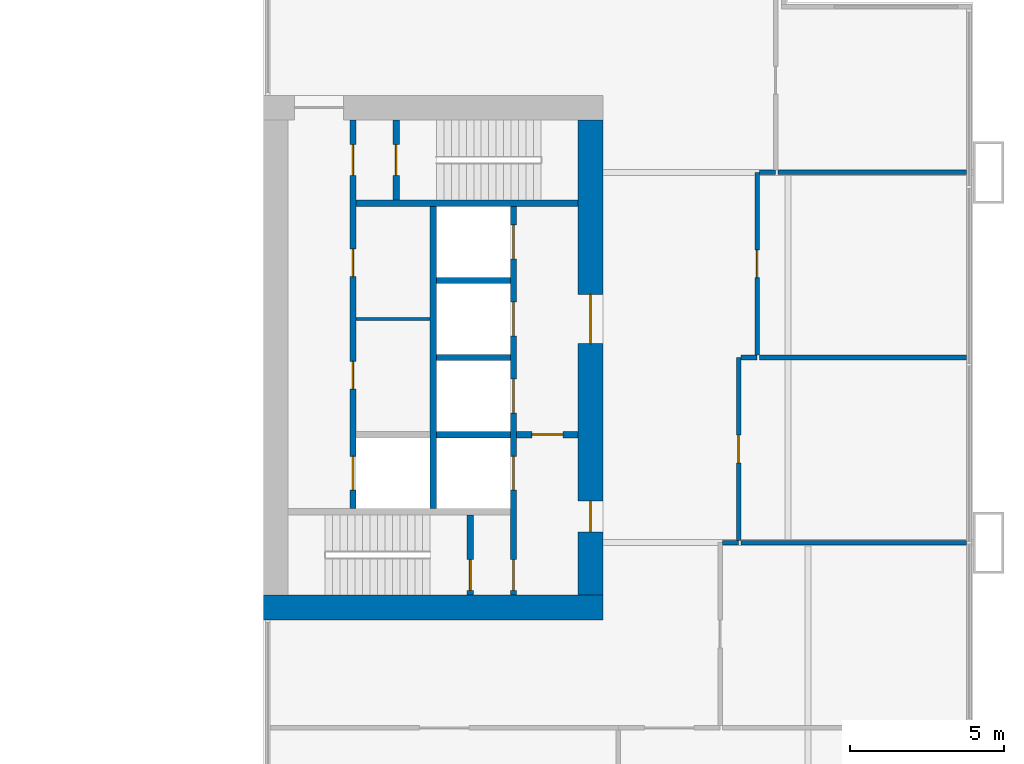
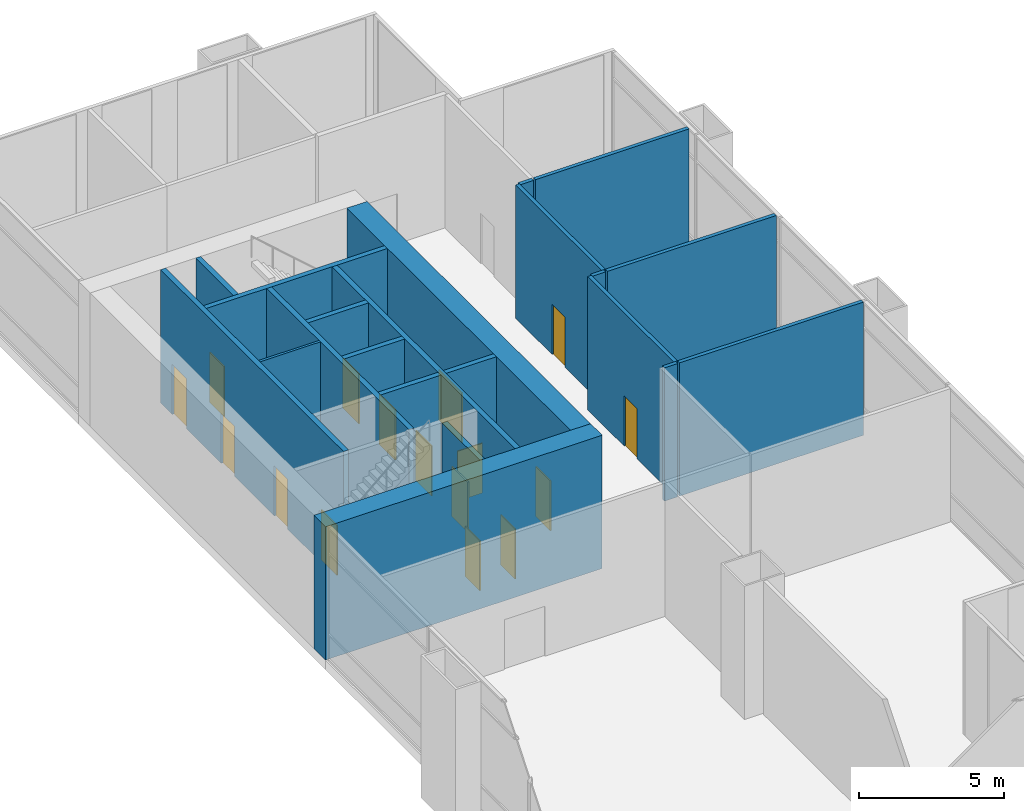
# One storey, part 20 of 25: 21 walls, 16 doors, 16 openings.
"""IFC4 building model written with IfcOpenShell, lengths in metres."""

from ifc_helpers import new_model, si_unit, direction, frame, frame_2d, origin, place, context, subcontext, project, spatial, rectangle, extrude, material, layer, layer_set, type_object, element, fill, save


model = new_model("IFC4")

# Units and contexts
model_context = context("Model", 3, precision=1e-05, world=origin(), true_north=direction((0.0, 1.0)))
body_context = subcontext(model_context, "Body", "Model", "MODEL_VIEW")
ifc_project = project(units=[si_unit("LENGTHUNIT", "METRE"), si_unit("AREAUNIT", "SQUARE_METRE"), si_unit("VOLUMEUNIT", "CUBIC_METRE"), si_unit("PLANEANGLEUNIT", "RADIAN"), si_unit("MASSUNIT", "GRAM", prefix="KILO")], contexts=[model_context])

# Site, building, storey
site_placement = place(None, origin())
site = spatial("IfcSite", under=ifc_project, at=site_placement, CompositionType="ELEMENT")
building_placement = place(site_placement, origin())
building = spatial("IfcBuilding", under=site, at=building_placement, Name="Kitamizu Gate Tower and Museum", CompositionType="ELEMENT")
storey_placement = place(building_placement, frame((0.0, 0.0, 18.0)))
storey = spatial("IfcBuildingStorey", under=building, at=storey_placement, Name="L03", CompositionType="ELEMENT", Elevation=18.0)

# Wall
ifc_material_1 = material(Name="Concrete Fc60", Category="concrete")
ifc_layer_1 = layer(ifc_material_1, 0.800048828125)
ifc_layer_set_1 = layer_set([ifc_layer_1], Name="Concrete Fc60")
wall_type_1 = type_object("IfcWallType", Name="Core wall 800", PredefinedType="SHEAR", material=ifc_layer_set_1)
wall_1_placement = place(storey_placement, frame((59.5, 21.89990234375, 0.0), z_axis=(0.0, 0.0, 1.0), x_axis=(-1.0, 0.0, 0.0)))
element("IfcWall", 1, at=wall_1_placement, inside=storey, type_object=wall_type_1, Name="Core wall ES", PredefinedType="SHEAR", context=body_context, shape_type="SweptSolid", body=[
    extrude(rectangle(XDim=11.0, YDim=0.800048828125, at=frame_2d((5.5, 0.0))), origin(), (0.0, 0.0, 1.0), 5.60009765625),
])

# Wall, openings, doors
wall_2_placement = place(storey_placement, frame((59.10009765625, 22.300048828125, 0.0), z_axis=(0.0, 0.0, 1.0), x_axis=(0.0, 1.0, 0.0)))
wall_2 = element("IfcWall", 2, at=wall_2_placement, inside=storey, type_object=wall_type_1, Name="Core wall EOUT", PredefinedType="SHEAR", context=body_context, shape_type="SweptSolid", body=[
    extrude(rectangle(XDim=15.39990234375, YDim=0.800048828125, at=frame_2d((7.699951171875, 0.0))), origin(), (0.0, 0.0, 1.0), 5.60009765625),
])
opening_1_placement = place(wall_2_placement, frame((8.14990234375, 0.0, 0.0)))
opening_1 = element("IfcOpeningElement", 3, at=opening_1_placement, cuts=wall_2, Name="Opening L03-033", PredefinedType="OPENING", context=body_context, shape_type="SweptSolid", body=[
    extrude(rectangle(XDim=1.60009765625, YDim=2.10009765625, at=frame_2d((0.800048828125, 1.050048828125))), frame((0.0, 0.41015625, 0.0), z_axis=(0.0, -1.0, 0.0), x_axis=(1.0, 0.0, 0.0)), (0.0, 0.0, 1.0), 0.820068359375),
])
opening_2_placement = place(wall_2_placement, frame((2.050048828125, 0.0, 0.0)))
opening_2 = element("IfcOpeningElement", 4, at=opening_2_placement, cuts=wall_2, Name="Opening L03-034", PredefinedType="OPENING", context=body_context, shape_type="SweptSolid", body=[
    extrude(rectangle(XDim=1.0, YDim=2.10009765625, at=frame_2d((0.5, 1.050048828125))), frame((0.0, 0.41015625, 0.0), z_axis=(0.0, -1.0, 0.0), x_axis=(1.0, 0.0, 0.0)), (0.0, 0.0, 1.0), 0.820068359375),
])
ifc_material_2 = material(Name="Timber door set", Category="wood")
door_type_1 = type_object("IfcDoorType", Name="Entrance door 1600", OperationType="DOUBLE_DOOR_SINGLE_SWING", PredefinedType="DOOR", material=ifc_material_2)
door_1_placement = place(opening_1_placement, origin())
door_1 = element("IfcDoor", 5, at=door_1_placement, inside=storey, type_object=door_type_1, Name="Lobby door L03-033", OperationType="DOUBLE_DOOR_SINGLE_SWING", OverallHeight=2.10009765625, OverallWidth=1.60009765625, PredefinedType="DOOR", context=body_context, shape_type="SweptSolid", body=[
    extrude(rectangle(XDim=1.60009765625, YDim=2.10009765625, at=frame_2d((0.800048828125, 1.050048828125))), frame((0.0, 0.02490234375, 0.0), z_axis=(0.0, -1.0, 0.0), x_axis=(1.0, 0.0, 0.0)), (0.0, 0.0, 1.0), 0.050048828125),
])
fill(opening_1, door_1)
ifc_material_3 = material(Name="Hollow metal door set")
door_type_2 = type_object("IfcDoorType", Name="Fire door 1000", OperationType="NOTDEFINED", PredefinedType="DOOR", material=ifc_material_3)
door_2_placement = place(opening_2_placement, origin())
door_2 = element("IfcDoor", 6, at=door_2_placement, inside=storey, type_object=door_type_2, Name="Fire-fighting lobby door L03-034", OperationType="SINGLE_SWING_LEFT", OverallHeight=2.10009765625, OverallWidth=1.0, PredefinedType="DOOR", context=body_context, shape_type="SweptSolid", body=[
    extrude(rectangle(XDim=1.0, YDim=2.10009765625, at=frame_2d((0.5, 1.050048828125))), frame((0.0, 0.02490234375, 0.0), z_axis=(0.0, -1.0, 0.0), x_axis=(1.0, 0.0, 0.0)), (0.0, 0.0, 1.0), 0.050048828125),
])
fill(opening_2, door_2)

# Walls
ifc_material_4 = material(Name="Gypsum board on galvanised stud")
ifc_layer_2 = layer(ifc_material_4, 0.10009765625)
ifc_layer_set_2 = layer_set([ifc_layer_2], Name="Gypsum board on galvanised stud")
wall_type_2 = type_object("IfcWallType", Name="Partition 100", PredefinedType="PARTITIONING", material=ifc_layer_set_2)
wall_3_placement = place(storey_placement, frame((53.89990234375, 31.25, 0.0), z_axis=(0.0, 0.0, 1.0), x_axis=(-1.0, 0.0, 0.0)))
element("IfcWall", 7, at=wall_3_placement, inside=storey, type_object=wall_type_2, Name="Partition EPF1", PredefinedType="PARTITIONING", context=body_context, shape_type="SweptSolid", body=[
    extrude(rectangle(XDim=2.39990234375, YDim=0.10009765625, at=frame_2d((1.199951171875, 0.0))), origin(), (0.0, 0.0, 1.0), 5.60009765625),
])
ifc_material_5 = material(Name="Gypsum board on galvanised stud")
ifc_layer_3 = layer(ifc_material_5, 0.14990234375)
ifc_layer_set_3 = layer_set([ifc_layer_3], Name="Gypsum board on galvanised stud")
wall_type_3 = type_object("IfcWallType", Name="Partition 150", PredefinedType="PARTITIONING", material=ifc_layer_set_3)
wall_4_placement = place(storey_placement, frame((63.375, 24.0, 0.0), z_axis=(0.0, 0.0, 1.0), x_axis=(1.0, 0.0, 0.0)))
element("IfcWall", 8, at=wall_4_placement, inside=storey, type_object=wall_type_3, Name="Partition L03-015", PredefinedType="PARTITIONING", context=body_context, shape_type="SweptSolid", body=[
    extrude(rectangle(XDim=0.52490234375, YDim=0.14990234375, at=frame_2d((0.262451171875, 0.0))), origin(), (0.0, 0.0, 1.0), 5.60009765625),
])

# Wall, opening, door
wall_5_placement = place(storey_placement, frame((63.89990234375, 24.074951171875, 0.0), z_axis=(0.0, 0.0, 1.0), x_axis=(0.0, 1.0, 0.0)))
wall_5 = element("IfcWall", 9, at=wall_5_placement, inside=storey, type_object=wall_type_3, Name="Partition L03-016", PredefinedType="PARTITIONING", context=body_context, shape_type="SweptSolid", body=[
    extrude(rectangle(XDim=5.925048828125, YDim=0.14990234375, at=frame_2d((2.96240234375, 0.0))), origin(), (0.0, 0.0, 1.0), 5.60009765625),
])
opening_3_placement = place(wall_5_placement, frame((2.512451171875, 0.0, 0.0)))
opening_3 = element("IfcOpeningElement", 10, at=opening_3_placement, cuts=wall_5, Name="Opening L03-004", PredefinedType="OPENING", context=body_context, shape_type="SweptSolid", body=[
    extrude(rectangle(XDim=0.89990234375, YDim=2.10009765625, at=frame_2d((0.449951171875, 1.050048828125))), frame((0.0, 0.0849609375, 0.0), z_axis=(0.0, -1.0, 0.0), x_axis=(1.0, 0.0, 0.0)), (0.0, 0.0, 1.0), 0.169921875),
])
ifc_material_6 = material(Name="Timber door set", Category="wood")
door_type_3 = type_object("IfcDoorType", Name="Room door 900", OperationType="NOTDEFINED", PredefinedType="DOOR", material=ifc_material_6)
door_3_placement = place(opening_3_placement, frame((0.89990234375, 0.0, 0.0), x_axis=(-1.0, 0.0, 0.0)))
door_3 = element("IfcDoor", 11, at=door_3_placement, inside=storey, type_object=door_type_3, Name="Door L03-004", OperationType="SINGLE_SWING_RIGHT", OverallHeight=2.10009765625, OverallWidth=0.89990234375, PredefinedType="DOOR", context=body_context, shape_type="SweptSolid", body=[
    extrude(rectangle(XDim=0.89990234375, YDim=2.10009765625, at=frame_2d((0.449951171875, 1.050048828125))), frame((0.0, 0.02490234375, 0.0), z_axis=(0.0, -1.0, 0.0), x_axis=(1.0, 0.0, 0.0)), (0.0, 0.0, 1.0), 0.050048828125),
])
fill(opening_3, door_3)

# Wall
wall_6_placement = place(storey_placement, frame((63.97509765625, 30.0, 0.0), z_axis=(0.0, 0.0, 1.0), x_axis=(1.0, 0.0, 0.0)))
element("IfcWall", 12, at=wall_6_placement, inside=storey, type_object=wall_type_3, Name="Partition L03-017", PredefinedType="PARTITIONING", context=body_context, shape_type="SweptSolid", body=[
    extrude(rectangle(XDim=0.52490234375, YDim=0.14990234375, at=frame_2d((0.262451171875, 0.0))), origin(), (0.0, 0.0, 1.0), 5.60009765625),
])

# Wall, opening, door
wall_7_placement = place(storey_placement, frame((64.5, 30.074951171875, 0.0), z_axis=(0.0, 0.0, 1.0), x_axis=(0.0, 1.0, 0.0)))
wall_7 = element("IfcWall", 13, at=wall_7_placement, inside=storey, type_object=wall_type_3, Name="Partition L03-018", PredefinedType="PARTITIONING", context=body_context, shape_type="SweptSolid", body=[
    extrude(rectangle(XDim=5.925048828125, YDim=0.14990234375, at=frame_2d((2.96240234375, 0.0))), origin(), (0.0, 0.0, 1.0), 5.60009765625),
])
opening_4_placement = place(wall_7_placement, frame((2.512451171875, 0.0, 0.0)))
opening_4 = element("IfcOpeningElement", 14, at=opening_4_placement, cuts=wall_7, Name="Opening L03-005", PredefinedType="OPENING", context=body_context, shape_type="SweptSolid", body=[
    extrude(rectangle(XDim=0.89990234375, YDim=2.10009765625, at=frame_2d((0.449951171875, 1.050048828125))), frame((0.0, 0.0849609375, 0.0), z_axis=(0.0, -1.0, 0.0), x_axis=(1.0, 0.0, 0.0)), (0.0, 0.0, 1.0), 0.169921875),
])
door_4_placement = place(opening_4_placement, frame((0.89990234375, 0.0, 0.0), x_axis=(-1.0, 0.0, 0.0)))
door_4 = element("IfcDoor", 15, at=door_4_placement, inside=storey, type_object=door_type_3, Name="Door L03-005", OperationType="SINGLE_SWING_LEFT", OverallHeight=2.10009765625, OverallWidth=0.89990234375, PredefinedType="DOOR", context=body_context, shape_type="SweptSolid", body=[
    extrude(rectangle(XDim=0.89990234375, YDim=2.10009765625, at=frame_2d((0.449951171875, 1.050048828125))), frame((0.0, 0.02490234375, 0.0), z_axis=(0.0, -1.0, 0.0), x_axis=(1.0, 0.0, 0.0)), (0.0, 0.0, 1.0), 0.050048828125),
])
fill(opening_4, door_4)

# Walls
wall_8_placement = place(storey_placement, frame((64.574951171875, 36.0, 0.0), z_axis=(0.0, 0.0, 1.0), x_axis=(1.0, 0.0, 0.0)))
element("IfcWall", 16, at=wall_8_placement, inside=storey, type_object=wall_type_3, Name="Partition L03-019", PredefinedType="PARTITIONING", context=body_context, shape_type="SweptSolid", body=[
    extrude(rectangle(XDim=0.525146484375, YDim=0.14990234375, at=frame_2d((0.2626953125, 0.0))), origin(), (0.0, 0.0, 1.0), 5.60009765625),
])
wall_9_placement = place(storey_placement, frame((71.280029296875, 24.0, 0.0), z_axis=(0.0, 0.0, 1.0), x_axis=(-1.0, 0.0, 0.0)))
element("IfcWall", 17, at=wall_9_placement, inside=storey, type_object=wall_type_3, Name="Partition L03-027", PredefinedType="PARTITIONING", context=body_context, shape_type="SweptSolid", body=[
    extrude(rectangle(XDim=7.304931640625, YDim=0.14990234375, at=frame_2d((3.65234375, 0.0))), origin(), (0.0, 0.0, 1.0), 5.60009765625),
])
wall_10_placement = place(storey_placement, frame((71.280029296875, 30.0, 0.0), z_axis=(0.0, 0.0, 1.0), x_axis=(-1.0, 0.0, 0.0)))
element("IfcWall", 18, at=wall_10_placement, inside=storey, type_object=wall_type_3, Name="Partition L03-028", PredefinedType="PARTITIONING", context=body_context, shape_type="SweptSolid", body=[
    extrude(rectangle(XDim=6.705078125, YDim=0.14990234375, at=frame_2d((3.3525390625, 0.0))), origin(), (0.0, 0.0, 1.0), 5.60009765625),
])
wall_11_placement = place(storey_placement, frame((71.280029296875, 36.0, 0.0), z_axis=(0.0, 0.0, 1.0), x_axis=(-1.0, 0.0, 0.0)))
element("IfcWall", 19, at=wall_11_placement, inside=storey, type_object=wall_type_3, Name="Partition L03-029", PredefinedType="PARTITIONING", context=body_context, shape_type="SweptSolid", body=[
    extrude(rectangle(XDim=6.10498046875, YDim=0.14990234375, at=frame_2d((3.052490234375, 0.0))), origin(), (0.0, 0.0, 1.0), 5.60009765625),
])

# Wall, openings, doors
ifc_material_7 = material(Name="Concrete Fc42", Category="concrete")
ifc_layer_4 = layer(ifc_material_7, 0.199951171875)
ifc_layer_set_4 = layer_set([ifc_layer_4], Name="Concrete Fc42")
wall_type_4 = type_object("IfcWallType", Name="Shaft wall 200", PredefinedType="SOLIDWALL", material=ifc_layer_set_4)
wall_12_placement = place(storey_placement, frame((56.60009765625, 22.300048828125, 0.0), z_axis=(0.0, 0.0, 1.0), x_axis=(0.0, 1.0, 0.0)))
wall_12 = element("IfcWall", 20, at=wall_12_placement, inside=storey, type_object=wall_type_4, Name="Shaft wall EWEST", PredefinedType="SOLIDWALL", context=body_context, shape_type="SweptSolid", body=[
    extrude(rectangle(XDim=12.599853515625, YDim=0.199951171875, at=frame_2d((6.2998046875, 0.0))), origin(), (0.0, 0.0, 1.0), 5.60009765625),
])
opening_5_placement = place(wall_12_placement, frame((3.39990234375, 0.0, 0.0)))
opening_5 = element("IfcOpeningElement", 21, at=opening_5_placement, cuts=wall_12, Name="Opening LD", PredefinedType="OPENING", context=body_context, shape_type="SweptSolid", body=[
    extrude(rectangle(XDim=1.10009765625, YDim=2.10009765625, at=frame_2d((0.550048828125, 1.050048828125))), frame((0.0, 0.10986328125, 0.0), z_axis=(0.0, -1.0, 0.0), x_axis=(1.0, 0.0, 0.0)), (0.0, 0.0, 1.0), 0.219970703125),
])
opening_6_placement = place(wall_12_placement, frame((5.89990234375, 0.0, 0.0)))
opening_6 = element("IfcOpeningElement", 22, at=opening_6_placement, cuts=wall_12, Name="Opening LD", PredefinedType="OPENING", context=body_context, shape_type="SweptSolid", body=[
    extrude(rectangle(XDim=1.10009765625, YDim=2.10009765625, at=frame_2d((0.550048828125, 1.050048828125))), frame((0.0, 0.10986328125, 0.0), z_axis=(0.0, -1.0, 0.0), x_axis=(1.0, 0.0, 0.0)), (0.0, 0.0, 1.0), 0.219970703125),
])
opening_7_placement = place(wall_12_placement, frame((8.39990234375, 0.0, 0.0)))
opening_7 = element("IfcOpeningElement", 23, at=opening_7_placement, cuts=wall_12, Name="Opening LD", PredefinedType="OPENING", context=body_context, shape_type="SweptSolid", body=[
    extrude(rectangle(XDim=1.10009765625, YDim=2.10009765625, at=frame_2d((0.550048828125, 1.050048828125))), frame((0.0, 0.10986328125, 0.0), z_axis=(0.0, -1.0, 0.0), x_axis=(1.0, 0.0, 0.0)), (0.0, 0.0, 1.0), 0.219970703125),
])
opening_8_placement = place(wall_12_placement, frame((10.89990234375, 0.0, 0.0)))
opening_8 = element("IfcOpeningElement", 24, at=opening_8_placement, cuts=wall_12, Name="Opening LD", PredefinedType="OPENING", context=body_context, shape_type="SweptSolid", body=[
    extrude(rectangle(XDim=1.10009765625, YDim=2.10009765625, at=frame_2d((0.550048828125, 1.050048828125))), frame((0.0, 0.10986328125, 0.0), z_axis=(0.0, -1.0, 0.0), x_axis=(1.0, 0.0, 0.0)), (0.0, 0.0, 1.0), 0.219970703125),
])
opening_9_placement = place(wall_12_placement, frame((0.14990234375, 0.0, 0.0)))
opening_9 = element("IfcOpeningElement", 25, at=opening_9_placement, cuts=wall_12, Name="Opening L03-029", PredefinedType="OPENING", context=body_context, shape_type="SweptSolid", body=[
    extrude(rectangle(XDim=1.0, YDim=2.10009765625, at=frame_2d((0.5, 1.050048828125))), frame((0.0, 0.10986328125, 0.0), z_axis=(0.0, -1.0, 0.0), x_axis=(1.0, 0.0, 0.0)), (0.0, 0.0, 1.0), 0.219970703125),
])
door_5_placement = place(opening_9_placement, origin())
door_5 = element("IfcDoor", 26, at=door_5_placement, inside=storey, type_object=door_type_2, Name="Stair lobby door L03-029", OperationType="SINGLE_SWING_RIGHT", OverallHeight=2.10009765625, OverallWidth=1.0, PredefinedType="DOOR", context=body_context, shape_type="SweptSolid", body=[
    extrude(rectangle(XDim=1.0, YDim=2.10009765625, at=frame_2d((0.5, 1.050048828125))), frame((0.0, 0.02490234375, 0.0), z_axis=(0.0, -1.0, 0.0), x_axis=(1.0, 0.0, 0.0)), (0.0, 0.0, 1.0), 0.050048828125),
])
fill(opening_9, door_5)
ifc_material_8 = material(Name="Hollow metal door set")
door_type_4 = type_object("IfcDoorType", Name="Landing door 1100", OperationType="SLIDING_TO_LEFT", PredefinedType="DOOR", material=ifc_material_8)
door_6_placement = place(opening_5_placement, origin())
door_6 = element("IfcDoor", 27, at=door_6_placement, inside=storey, type_object=door_type_4, Name="Landing door EFF1", OperationType="SLIDING_TO_LEFT", OverallHeight=2.10009765625, OverallWidth=1.10009765625, PredefinedType="DOOR", context=body_context, shape_type="SweptSolid", body=[
    extrude(rectangle(XDim=1.10009765625, YDim=2.10009765625, at=frame_2d((0.550048828125, 1.050048828125))), frame((0.0, 0.02490234375, 0.0), z_axis=(0.0, -1.0, 0.0), x_axis=(1.0, 0.0, 0.0)), (0.0, 0.0, 1.0), 0.050048828125),
])
fill(opening_5, door_6)
door_7_placement = place(opening_6_placement, origin())
door_7 = element("IfcDoor", 28, at=door_7_placement, inside=storey, type_object=door_type_4, Name="Landing door EL1", OperationType="SLIDING_TO_LEFT", OverallHeight=2.10009765625, OverallWidth=1.10009765625, PredefinedType="DOOR", context=body_context, shape_type="SweptSolid", body=[
    extrude(rectangle(XDim=1.10009765625, YDim=2.10009765625, at=frame_2d((0.550048828125, 1.050048828125))), frame((0.0, 0.02490234375, 0.0), z_axis=(0.0, -1.0, 0.0), x_axis=(1.0, 0.0, 0.0)), (0.0, 0.0, 1.0), 0.050048828125),
])
fill(opening_6, door_7)
door_8_placement = place(opening_7_placement, origin())
door_8 = element("IfcDoor", 29, at=door_8_placement, inside=storey, type_object=door_type_4, Name="Landing door EL2", OperationType="SLIDING_TO_LEFT", OverallHeight=2.10009765625, OverallWidth=1.10009765625, PredefinedType="DOOR", context=body_context, shape_type="SweptSolid", body=[
    extrude(rectangle(XDim=1.10009765625, YDim=2.10009765625, at=frame_2d((0.550048828125, 1.050048828125))), frame((0.0, 0.02490234375, 0.0), z_axis=(0.0, -1.0, 0.0), x_axis=(1.0, 0.0, 0.0)), (0.0, 0.0, 1.0), 0.050048828125),
])
fill(opening_7, door_8)
door_9_placement = place(opening_8_placement, origin())
door_9 = element("IfcDoor", 30, at=door_9_placement, inside=storey, type_object=door_type_4, Name="Landing door EL3", OperationType="SLIDING_TO_LEFT", OverallHeight=2.10009765625, OverallWidth=1.10009765625, PredefinedType="DOOR", context=body_context, shape_type="SweptSolid", body=[
    extrude(rectangle(XDim=1.10009765625, YDim=2.10009765625, at=frame_2d((0.550048828125, 1.050048828125))), frame((0.0, 0.02490234375, 0.0), z_axis=(0.0, -1.0, 0.0), x_axis=(1.0, 0.0, 0.0)), (0.0, 0.0, 1.0), 0.050048828125),
])
fill(opening_8, door_9)

wall_13_placement = place(storey_placement, frame((51.39990234375, 25.10009765625, 0.0), z_axis=(0.0, 0.0, 1.0), x_axis=(0.0, 1.0, 0.0)))
wall_13 = element("IfcWall", 31, at=wall_13_placement, inside=storey, type_object=wall_type_4, Name="Shaft wall EEAST", PredefinedType="SOLIDWALL", context=body_context, shape_type="SweptSolid", body=[
    extrude(rectangle(XDim=12.599853515625, YDim=0.199951171875, at=frame_2d((6.2998046875, 0.0))), origin(), (0.0, 0.0, 1.0), 5.60009765625),
])
opening_10_placement = place(wall_13_placement, frame((0.60009765625, 0.0, 0.0)))
opening_10 = element("IfcOpeningElement", 32, at=opening_10_placement, cuts=wall_13, Name="Opening LD", PredefinedType="OPENING", context=body_context, shape_type="SweptSolid", body=[
    extrude(rectangle(XDim=1.10009765625, YDim=2.10009765625, at=frame_2d((0.550048828125, 1.050048828125))), frame((0.0, 0.10986328125, 0.0), z_axis=(0.0, -1.0, 0.0), x_axis=(1.0, 0.0, 0.0)), (0.0, 0.0, 1.0), 0.219970703125),
])
opening_11_placement = place(wall_13_placement, frame((10.800048828125, 0.0, 0.0)))
opening_11 = element("IfcOpeningElement", 33, at=opening_11_placement, cuts=wall_13, Name="Opening L03-030", PredefinedType="OPENING", context=body_context, shape_type="SweptSolid", body=[
    extrude(rectangle(XDim=1.0, YDim=2.10009765625, at=frame_2d((0.5, 1.050048828125))), frame((0.0, 0.10986328125, 0.0), z_axis=(0.0, -1.0, 0.0), x_axis=(1.0, 0.0, 0.0)), (0.0, 0.0, 1.0), 0.219970703125),
])
opening_12_placement = place(wall_13_placement, frame((3.875, 0.0, 0.0)))
opening_12 = element("IfcOpeningElement", 34, at=opening_12_placement, cuts=wall_13, Name="Opening L03-036", PredefinedType="OPENING", context=body_context, shape_type="SweptSolid", body=[
    extrude(rectangle(XDim=0.89990234375, YDim=2.10009765625, at=frame_2d((0.449951171875, 1.050048828125))), frame((0.0, 0.10986328125, 0.0), z_axis=(0.0, -1.0, 0.0), x_axis=(1.0, 0.0, 0.0)), (0.0, 0.0, 1.0), 0.219970703125),
])
opening_13_placement = place(wall_13_placement, frame((7.52490234375, 0.0, 0.0)))
opening_13 = element("IfcOpeningElement", 35, at=opening_13_placement, cuts=wall_13, Name="Opening L03-037", PredefinedType="OPENING", context=body_context, shape_type="SweptSolid", body=[
    extrude(rectangle(XDim=0.89990234375, YDim=2.10009765625, at=frame_2d((0.449951171875, 1.050048828125))), frame((0.0, 0.10986328125, 0.0), z_axis=(0.0, -1.0, 0.0), x_axis=(1.0, 0.0, 0.0)), (0.0, 0.0, 1.0), 0.219970703125),
])
door_10_placement = place(opening_11_placement, frame((1.0, 0.0, 0.0), x_axis=(-1.0, 0.0, 0.0)))
door_10 = element("IfcDoor", 36, at=door_10_placement, inside=storey, type_object=door_type_2, Name="Stair lobby door L03-030", OperationType="SINGLE_SWING_LEFT", OverallHeight=2.10009765625, OverallWidth=1.0, PredefinedType="DOOR", context=body_context, shape_type="SweptSolid", body=[
    extrude(rectangle(XDim=1.0, YDim=2.10009765625, at=frame_2d((0.5, 1.050048828125))), frame((0.0, 0.02490234375, 0.0), z_axis=(0.0, -1.0, 0.0), x_axis=(1.0, 0.0, 0.0)), (0.0, 0.0, 1.0), 0.050048828125),
])
fill(opening_11, door_10)
door_11_placement = place(opening_10_placement, origin())
door_11 = element("IfcDoor", 37, at=door_11_placement, inside=storey, type_object=door_type_4, Name="Landing door ESV1", OperationType="SLIDING_TO_LEFT", OverallHeight=2.10009765625, OverallWidth=1.10009765625, PredefinedType="DOOR", context=body_context, shape_type="SweptSolid", body=[
    extrude(rectangle(XDim=1.10009765625, YDim=2.10009765625, at=frame_2d((0.550048828125, 1.050048828125))), frame((0.0, 0.02490234375, 0.0), z_axis=(0.0, -1.0, 0.0), x_axis=(1.0, 0.0, 0.0)), (0.0, 0.0, 1.0), 0.050048828125),
])
fill(opening_10, door_11)
ifc_material_9 = material(Name="Timber door set", Category="wood")
door_type_5 = type_object("IfcDoorType", Name="Service door 900", OperationType="NOTDEFINED", PredefinedType="DOOR", material=ifc_material_9)
door_12_placement = place(opening_12_placement, frame((0.89990234375, 0.0, 0.0), x_axis=(-1.0, 0.0, 0.0)))
door_12 = element("IfcDoor", 38, at=door_12_placement, inside=storey, type_object=door_type_5, Name="Service door L03-036", OperationType="SINGLE_SWING_LEFT", OverallHeight=2.10009765625, OverallWidth=0.89990234375, PredefinedType="DOOR", context=body_context, shape_type="SweptSolid", body=[
    extrude(rectangle(XDim=0.89990234375, YDim=2.10009765625, at=frame_2d((0.449951171875, 1.050048828125))), frame((0.0, 0.02490234375, 0.0), z_axis=(0.0, -1.0, 0.0), x_axis=(1.0, 0.0, 0.0)), (0.0, 0.0, 1.0), 0.050048828125),
])
fill(opening_12, door_12)
door_13_placement = place(opening_13_placement, frame((0.89990234375, 0.0, 0.0), x_axis=(-1.0, 0.0, 0.0)))
door_13 = element("IfcDoor", 39, at=door_13_placement, inside=storey, type_object=door_type_5, Name="Service door L03-037", OperationType="SINGLE_SWING_RIGHT", OverallHeight=2.10009765625, OverallWidth=0.89990234375, PredefinedType="DOOR", context=body_context, shape_type="SweptSolid", body=[
    extrude(rectangle(XDim=0.89990234375, YDim=2.10009765625, at=frame_2d((0.449951171875, 1.050048828125))), frame((0.0, 0.02490234375, 0.0), z_axis=(0.0, -1.0, 0.0), x_axis=(1.0, 0.0, 0.0)), (0.0, 0.0, 1.0), 0.050048828125),
])
fill(opening_13, door_13)

# Walls
wall_14_placement = place(storey_placement, frame((54.0, 25.10009765625, 0.0), z_axis=(0.0, 0.0, 1.0), x_axis=(0.0, 1.0, 0.0)))
element("IfcWall", 40, at=wall_14_placement, inside=storey, type_object=wall_type_4, Name="Shaft wall EMID", PredefinedType="SOLIDWALL", context=body_context, shape_type="SweptSolid", body=[
    extrude(rectangle(XDim=9.7998046875, YDim=0.199951171875, at=frame_2d((4.89990234375, 0.0))), origin(), (0.0, 0.0, 1.0), 5.60009765625),
])
wall_15_placement = place(storey_placement, frame((58.699951171875, 35.0, 0.0), z_axis=(0.0, 0.0, 1.0), x_axis=(-1.0, 0.0, 0.0)))
element("IfcWall", 41, at=wall_15_placement, inside=storey, type_object=wall_type_4, Name="Shaft wall ENB", PredefinedType="SOLIDWALL", context=body_context, shape_type="SweptSolid", body=[
    extrude(rectangle(XDim=7.199951171875, YDim=0.199951171875, at=frame_2d((3.60009765625, 0.0))), origin(), (0.0, 0.0, 1.0), 5.60009765625),
])

# Wall, opening, door
wall_16_placement = place(storey_placement, frame((58.699951171875, 27.5, 0.0), z_axis=(0.0, 0.0, 1.0), x_axis=(-1.0, 0.0, 0.0)))
wall_16 = element("IfcWall", 42, at=wall_16_placement, inside=storey, type_object=wall_type_4, Name="Shaft wall EFFN", PredefinedType="SOLIDWALL", context=body_context, shape_type="SweptSolid", body=[
    extrude(rectangle(XDim=2.0, YDim=0.199951171875, at=frame_2d((1.0, 0.0))), origin(), (0.0, 0.0, 1.0), 5.60009765625),
])
opening_14_placement = place(wall_16_placement, frame((0.5, 0.0, 0.0)))
opening_14 = element("IfcOpeningElement", 43, at=opening_14_placement, cuts=wall_16, Name="Opening L03-032", PredefinedType="OPENING", context=body_context, shape_type="SweptSolid", body=[
    extrude(rectangle(XDim=1.0, YDim=2.10009765625, at=frame_2d((0.5, 1.050048828125))), frame((0.0, 0.10986328125, 0.0), z_axis=(0.0, -1.0, 0.0), x_axis=(1.0, 0.0, 0.0)), (0.0, 0.0, 1.0), 0.219970703125),
])
door_14_placement = place(opening_14_placement, origin())
door_14 = element("IfcDoor", 44, at=door_14_placement, inside=storey, type_object=door_type_2, Name="Fire-fighting lobby door L03-032", OperationType="SINGLE_SWING_RIGHT", OverallHeight=2.10009765625, OverallWidth=1.0, PredefinedType="DOOR", context=body_context, shape_type="SweptSolid", body=[
    extrude(rectangle(XDim=1.0, YDim=2.10009765625, at=frame_2d((0.5, 1.050048828125))), frame((0.0, 0.02490234375, 0.0), z_axis=(0.0, -1.0, 0.0), x_axis=(1.0, 0.0, 0.0)), (0.0, 0.0, 1.0), 0.050048828125),
])
fill(opening_14, door_14)

wall_17_placement = place(storey_placement, frame((55.199951171875, 22.300048828125, 0.0), z_axis=(0.0, 0.0, 1.0), x_axis=(0.0, 1.0, 0.0)))
wall_17 = element("IfcWall", 45, at=wall_17_placement, inside=storey, type_object=wall_type_4, Name="Shaft wall ESZ", PredefinedType="SOLIDWALL", context=body_context, shape_type="SweptSolid", body=[
    extrude(rectangle(XDim=2.599853515625, YDim=0.199951171875, at=frame_2d((1.2998046875, 0.0))), origin(), (0.0, 0.0, 1.0), 5.60009765625),
])
opening_15_placement = place(wall_17_placement, frame((0.14990234375, 0.0, 0.0)))
opening_15 = element("IfcOpeningElement", 46, at=opening_15_placement, cuts=wall_17, Name="Opening L03-028", PredefinedType="OPENING", context=body_context, shape_type="SweptSolid", body=[
    extrude(rectangle(XDim=1.0, YDim=2.10009765625, at=frame_2d((0.5, 1.050048828125))), frame((0.0, 0.10986328125, 0.0), z_axis=(0.0, -1.0, 0.0), x_axis=(1.0, 0.0, 0.0)), (0.0, 0.0, 1.0), 0.219970703125),
])
door_15_placement = place(opening_15_placement, origin())
door_15 = element("IfcDoor", 47, at=door_15_placement, inside=storey, type_object=door_type_2, Name="Stair door L03-028", OperationType="SINGLE_SWING_RIGHT", OverallHeight=2.10009765625, OverallWidth=1.0, PredefinedType="DOOR", context=body_context, shape_type="SweptSolid", body=[
    extrude(rectangle(XDim=1.0, YDim=2.10009765625, at=frame_2d((0.5, 1.050048828125))), frame((0.0, 0.02490234375, 0.0), z_axis=(0.0, -1.0, 0.0), x_axis=(1.0, 0.0, 0.0)), (0.0, 0.0, 1.0), 0.050048828125),
])
fill(opening_15, door_15)

wall_18_placement = place(storey_placement, frame((52.800048828125, 35.10009765625, 0.0), z_axis=(0.0, 0.0, 1.0), x_axis=(0.0, 1.0, 0.0)))
wall_18 = element("IfcWall", 48, at=wall_18_placement, inside=storey, type_object=wall_type_4, Name="Shaft wall ENZ", PredefinedType="SOLIDWALL", context=body_context, shape_type="SweptSolid", body=[
    extrude(rectangle(XDim=2.599853515625, YDim=0.199951171875, at=frame_2d((1.2998046875, 0.0))), origin(), (0.0, 0.0, 1.0), 5.60009765625),
])
opening_16_placement = place(wall_18_placement, frame((0.800048828125, 0.0, 0.0)))
opening_16 = element("IfcOpeningElement", 49, at=opening_16_placement, cuts=wall_18, Name="Opening L03-031", PredefinedType="OPENING", context=body_context, shape_type="SweptSolid", body=[
    extrude(rectangle(XDim=1.0, YDim=2.10009765625, at=frame_2d((0.5, 1.050048828125))), frame((0.0, 0.10986328125, 0.0), z_axis=(0.0, -1.0, 0.0), x_axis=(1.0, 0.0, 0.0)), (0.0, 0.0, 1.0), 0.219970703125),
])
door_16_placement = place(opening_16_placement, frame((1.0, 0.0, 0.0), x_axis=(-1.0, 0.0, 0.0)))
door_16 = element("IfcDoor", 50, at=door_16_placement, inside=storey, type_object=door_type_2, Name="Stair door L03-031", OperationType="SINGLE_SWING_RIGHT", OverallHeight=2.10009765625, OverallWidth=1.0, PredefinedType="DOOR", context=body_context, shape_type="SweptSolid", body=[
    extrude(rectangle(XDim=1.0, YDim=2.10009765625, at=frame_2d((0.5, 1.050048828125))), frame((0.0, 0.02490234375, 0.0), z_axis=(0.0, -1.0, 0.0), x_axis=(1.0, 0.0, 0.0)), (0.0, 0.0, 1.0), 0.050048828125),
])
fill(opening_16, door_16)

# Walls
for number, where, z_axis, x_axis, name in (
    (51, (56.5, 27.5, 0.0), (0.0, 0.0, 1.0), (-1.0, 0.0, 0.0), "Shaft wall EDVW0"),
    (52, (56.5, 30.0, 0.0), (0.0, 0.0, 1.0), (-1.0, 0.0, 0.0), "Shaft wall EDVW1"),
    (53, (56.5, 32.5, 0.0), (0.0, 0.0, 1.0), (-1.0, 0.0, 0.0), "Shaft wall EDVW2"),
):
    element("IfcWall", number, at=place(storey_placement, frame(where, z_axis=z_axis, x_axis=x_axis)), inside=storey, type_object=wall_type_4, Name=name, PredefinedType="SOLIDWALL", context=body_context, shape_type="SweptSolid", body=[
        extrude(rectangle(XDim=2.39990234375, YDim=0.199951171875, at=frame_2d((1.199951171875, 0.0))), origin(), (0.0, 0.0, 1.0), 5.60009765625),
    ])

save(model, "model.ifc")
